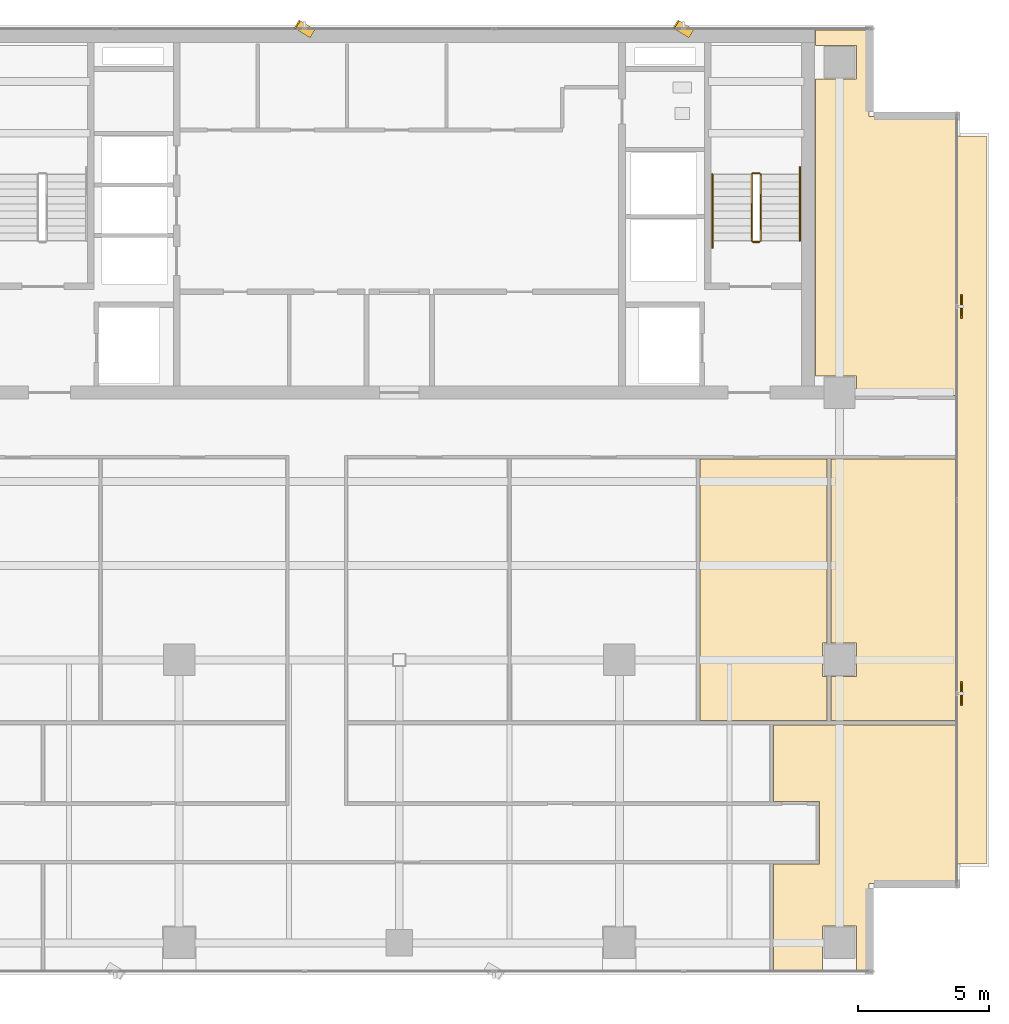
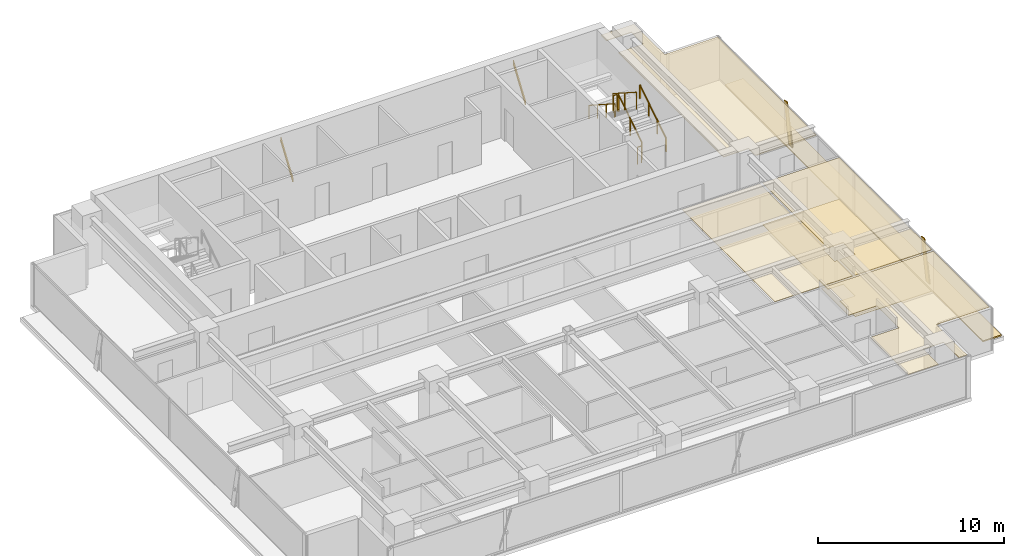
# One storey, part 21 of 22: 6 coverings, 6 railings, 4 shading devices.
"""IFC4 building model written with IfcOpenShell, lengths in metres."""

from ifc_helpers import new_model, si_unit, direction, frame, origin, origin_2d, place, context, subcontext, project, spatial, polyline, rectangle, outline, extrude, source, transform, mapped, material, layer, layer_set, material_profile, profile_set, type_object, element, save


model = new_model("IFC4")

# Units and contexts
model_context = context("Model", 3, precision=1e-05, world=origin(), true_north=direction((0.0, 1.0)))
body_context = subcontext(model_context, "Body", "Model", "MODEL_VIEW")
ifc_project = project(units=[si_unit("LENGTHUNIT", "METRE"), si_unit("AREAUNIT", "SQUARE_METRE"), si_unit("VOLUMEUNIT", "CUBIC_METRE"), si_unit("PLANEANGLEUNIT", "RADIAN"), si_unit("MASSUNIT", "GRAM", prefix="KILO")], contexts=[model_context])

# Site, building, storey
site_placement = place(None, origin())
site = spatial("IfcSite", under=ifc_project, at=site_placement, CompositionType="ELEMENT")
building_placement = place(site_placement, origin())
building = spatial("IfcBuilding", under=site, at=building_placement, Name="Sumidabori Civic Tower", CompositionType="ELEMENT")
storey_placement = place(building_placement, frame((0.0, 0.0, 272.0)))
storey = spatial("IfcBuildingStorey", under=building, at=storey_placement, Name="L71", CompositionType="ELEMENT", Elevation=272.0)

# Coverings
ifc_material_1 = material(Name="Perforated Timber Acoustic Ceiling", Category="wood")
ifc_layer_1 = layer(ifc_material_1, 0.044921875, Name="Perforated Timber Acoustic Ceiling")
ifc_layer_set_1 = layer_set([ifc_layer_1], Name="Perforated Timber Acoustic Ceiling")
covering_type_1 = type_object("IfcCoveringType", Name="CV-CEIL-AC2", PredefinedType="CEILING", material=ifc_layer_set_1)
covering_1_placement = place(storey_placement, frame((0.0, 0.0, 2.719970703125)))
element("IfcCovering", 1, at=covering_1_placement, inside=storey, type_object=covering_type_1, Name="Room Acoustic Ceiling L71-02", PredefinedType="CEILING", context=body_context, shape_type="SweptSolid", body=[
    extrude(outline(polyline([(15.8779296875, 22.159912109375), (17.43994140625, 22.159912109375), (17.43994140625, 23.43994140625), (15.8779296875, 23.43994140625), (15.8779296875, 24.030029296875), (17.929931640625, 24.030029296875), (17.929931640625, 20.72998046875), (21.22998046875, 20.72998046875), (21.22998046875, 10.090087890625), (17.43994140625, 10.090087890625), (17.43994140625, 10.840087890625), (15.8779296875, 10.840087890625), (15.8779296875, 22.159912109375)])), origin(), (0.0, 0.0, 1.0), 0.044921875),
])
covering_2_placement = place(storey_placement, frame((0.0, 0.0, 2.719970703125)))
element("IfcCovering", 2, at=covering_2_placement, inside=storey, type_object=covering_type_1, Name="Room Acoustic Ceiling L71-08", PredefinedType="CEILING", context=body_context, shape_type="SweptSolid", body=[
    extrude(outline(polyline([(11.47998046875, 7.659912109375), (16.320068359375, 7.659912109375), (16.320068359375, 0.639892578125), (16.159912109375, 0.639892578125), (16.159912109375, -0.639892578125), (16.320068359375, -0.639892578125), (16.320068359375, -2.320068359375), (11.47998046875, -2.320068359375), (11.47998046875, 7.659912109375)])), origin(), (0.0, 0.0, 1.0), 0.044921875),
])
covering_3_placement = place(storey_placement, frame((0.0, 0.0, 2.719970703125)))
element("IfcCovering", 3, at=covering_3_placement, inside=storey, type_object=covering_type_1, Name="Room Acoustic Ceiling L71-09", PredefinedType="CEILING", context=body_context, shape_type="SweptSolid", body=[
    extrude(outline(polyline([(16.47998046875, -0.639892578125), (17.43994140625, -0.639892578125), (17.43994140625, 0.639892578125), (16.47998046875, 0.639892578125), (16.47998046875, 7.659912109375), (21.22998046875, 7.659912109375), (21.22998046875, -2.320068359375), (16.47998046875, -2.320068359375), (16.47998046875, -0.639892578125)])), origin(), (0.0, 0.0, 1.0), 0.044921875),
])
covering_4_placement = place(storey_placement, frame((0.0, 0.0, 2.719970703125)))
element("IfcCovering", 4, at=covering_4_placement, inside=storey, type_object=covering_type_1, Name="Room Acoustic Ceiling L71-12", PredefinedType="CEILING", context=body_context, shape_type="SweptSolid", body=[
    extrude(outline(polyline([(16.0400390625, -7.7900390625), (16.0400390625, -5.409912109375), (14.280029296875, -5.409912109375), (14.280029296875, -2.47998046875), (21.22998046875, -2.47998046875), (21.22998046875, -8.530029296875), (17.929931640625, -8.530029296875), (17.929931640625, -11.830078125), (17.43994140625, -11.830078125), (17.43994140625, -10.159912109375), (16.159912109375, -10.159912109375), (16.159912109375, -11.830078125), (14.280029296875, -11.830078125), (14.280029296875, -7.7900390625), (16.0400390625, -7.7900390625)])), origin(), (0.0, 0.0, 1.0), 0.044921875),
])
ifc_material_2 = material(Name="Honed Terrazzo Tile Flooring")
ifc_layer_2 = layer(ifc_material_2, 0.030029296875, Name="Honed Terrazzo Tile Flooring")
ifc_layer_set_2 = layer_set([ifc_layer_2], Name="Honed Terrazzo Tile Flooring")
covering_type_2 = type_object("IfcCoveringType", Name="CV-FLR-TER", PredefinedType="FLOORING", material=ifc_layer_set_2)
covering_5_placement = place(storey_placement, origin())
element("IfcCovering", 5, at=covering_5_placement, inside=storey, type_object=covering_type_2, Name="Room Terrazzo Floor L71-09", PredefinedType="FLOORING", context=body_context, shape_type="SweptSolid", body=[
    extrude(outline(polyline([(16.47998046875, -0.639892578125), (17.43994140625, -0.639892578125), (17.43994140625, 0.639892578125), (16.47998046875, 0.639892578125), (16.47998046875, 7.659912109375), (21.22998046875, 7.659912109375), (21.22998046875, -2.320068359375), (16.47998046875, -2.320068359375), (16.47998046875, -0.639892578125)])), origin(), (0.0, 0.0, 1.0), 0.030029296875),
])
ifc_material_3 = material(Name="Insulated Waterproof Roofing Membrane")
ifc_layer_3 = layer(ifc_material_3, 0.080078125, Name="Insulated Waterproof Roofing Membrane")
ifc_layer_set_3 = layer_set([ifc_layer_3], Name="Insulated Waterproof Roofing Membrane")
covering_type_3 = type_object("IfcCoveringType", Name="CV-ROOF-MEM", PredefinedType="ROOFING", material=ifc_layer_set_3)
covering_6_placement = place(storey_placement, origin())
element("IfcCovering", 6, at=covering_6_placement, inside=storey, type_object=covering_type_3, Name="Setback Roof Membrane L71-2", PredefinedType="ROOFING", context=body_context, shape_type="SweptSolid", body=[
    extrude(outline(polyline([(22.39990234375, 20.0), (22.39990234375, -7.800048828125), (21.25, -7.800048828125), (21.25, 20.0), (22.39990234375, 20.0)])), origin(), (0.0, 0.0, 1.0), 0.080078125),
])

# Railings
ifc_material_4 = material(Name="Stainless Steel Hairline Finish", Category="steel")
railing_type_1 = type_object("IfcRailingType", Name="RL-HANDRAIL", PredefinedType="HANDRAIL", material=ifc_material_4)
railing_1_placement = place(storey_placement, frame((15.2900390625, 16.0, 0.179931640625)))
element("IfcRailing", 7, at=railing_1_placement, inside=storey, type_object=railing_type_1, Name="L71 ST-2 stair handrail 1", PredefinedType="HANDRAIL", context=body_context, shape_type="SweptSolid", body=[
    extrude(rectangle(XDim=0.048095703125, YDim=0.048095703125, at=origin_2d()), frame((0.0, 0.0, 0.8759765625), z_axis=(0.0, 0.84064222762, 0.54159084662), x_axis=(-1.0, 0.0, 0.0)), (0.0, 0.0, 1.0), 3.330810546875),
    extrude(rectangle(XDim=0.0419921875, YDim=0.0419921875, at=origin_2d()), origin(), (0.0, 0.0, 1.0), 0.851806640625),
    extrude(rectangle(XDim=0.0419921875, YDim=0.0419921875, at=origin_2d()), frame((0.0, 0.933349609375, 0.601318359375)), (0.0, 0.0, 1.0), 0.851806640625),
    extrude(rectangle(XDim=0.0419921875, YDim=0.0419921875, at=origin_2d()), frame((0.0, 1.86669921875, 1.20263671875)), (0.0, 0.0, 1.0), 0.851806640625),
    extrude(rectangle(XDim=0.0419921875, YDim=0.0419921875, at=origin_2d()), frame((0.0, 2.800048828125, 1.803955078125)), (0.0, 0.0, 1.0), 0.851806640625),
])
railing_2_placement = place(storey_placement, frame((11.949951171875, 18.52001953125, 1.97998046875)))
element("IfcRailing", 8, at=railing_2_placement, inside=storey, type_object=railing_type_1, Name="L71 ST-2 stair handrail 2", PredefinedType="HANDRAIL", context=body_context, shape_type="SweptSolid", body=[
    extrude(rectangle(XDim=0.048095703125, YDim=0.048095703125, at=origin_2d()), frame((0.0, 0.0, 0.8759765625), z_axis=(0.0, -0.840675598268, 0.541539046124), x_axis=(1.0, 0.0, 0.0)), (0.0, 0.0, 1.0), 3.330810546875),
    extrude(rectangle(XDim=0.0419921875, YDim=0.0419921875, at=origin_2d()), origin(), (0.0, 0.0, 1.0), 0.851806640625),
    extrude(rectangle(XDim=0.0419921875, YDim=0.0419921875, at=origin_2d()), frame((0.0, -0.933349609375, 0.601318359375)), (0.0, 0.0, 1.0), 0.851806640625),
    extrude(rectangle(XDim=0.0419921875, YDim=0.0419921875, at=origin_2d()), frame((0.0, -1.86669921875, 1.202392578125)), (0.0, 0.0, 1.0), 0.851806640625),
    extrude(rectangle(XDim=0.0419921875, YDim=0.0419921875, at=origin_2d()), frame((0.0, -2.800048828125, 1.8037109375)), (0.0, 0.0, 1.0), 0.851806640625),
])
ifc_material_5 = material(Name="Steel SN490", Category="steel")
railing_type_2 = type_object("IfcRailingType", Name="RL-STAIR-GUARD", PredefinedType="GUARDRAIL", material=ifc_material_5)
railing_3_placement = place(storey_placement, frame((13.7900390625, 16.0, 0.179931640625)))
element("IfcRailing", 9, at=railing_3_placement, inside=storey, type_object=railing_type_2, Name="L71 ST-2 stair guard 1", PredefinedType="GUARDRAIL", context=body_context, shape_type="SweptSolid", body=[
    extrude(rectangle(XDim=0.048095703125, YDim=0.048095703125, at=origin_2d()), frame((0.0, 0.0, 1.1259765625), z_axis=(0.0, 0.841162588446, 0.540782303519), x_axis=(-1.0, 0.0, 0.0)), (0.0, 0.0, 1.0), 2.995849609375),
    extrude(rectangle(XDim=0.0419921875, YDim=0.0419921875, at=origin_2d()), origin(), (0.0, 0.0, 1.0), 1.101806640625),
    extrude(rectangle(XDim=0.0419921875, YDim=0.0419921875, at=origin_2d()), frame((0.0, 1.260009765625, 0.81005859375)), (0.0, 0.0, 1.0), 1.101806640625),
    extrude(rectangle(XDim=0.0419921875, YDim=0.0419921875, at=origin_2d()), frame((0.0, 2.52001953125, 1.6201171875)), (0.0, 0.0, 1.0), 1.101806640625),
])
railing_4_placement = place(storey_placement, frame((13.739990234375, 18.570068359375, 1.800048828125)))
element("IfcRailing", 10, at=railing_4_placement, inside=storey, type_object=railing_type_2, Name="L71 ST-2 stair guard 2", PredefinedType="GUARDRAIL", context=body_context, shape_type="SweptSolid", body=[
    extrude(rectangle(XDim=0.048095703125, YDim=0.048095703125, at=origin_2d()), frame((0.0, 0.0, 1.1259765625), z_axis=(-1.0, 0.0, 0.0), x_axis=(0.0, -1.0, 0.0)), (0.0, 0.0, 1.0), 0.239990234375),
    extrude(rectangle(XDim=0.0419921875, YDim=0.0419921875, at=origin_2d()), origin(), (0.0, 0.0, 1.0), 1.101806640625),
    extrude(rectangle(XDim=0.0419921875, YDim=0.0419921875, at=origin_2d()), frame((-0.239990234375, 0.0, 0.0)), (0.0, 0.0, 1.0), 1.101806640625),
])
railing_5_placement = place(storey_placement, frame((13.449951171875, 18.52001953125, 1.97998046875)))
element("IfcRailing", 11, at=railing_5_placement, inside=storey, type_object=railing_type_2, Name="L71 ST-2 stair guard 3", PredefinedType="GUARDRAIL", context=body_context, shape_type="SweptSolid", body=[
    extrude(rectangle(XDim=0.048095703125, YDim=0.048095703125, at=origin_2d()), frame((0.0, 0.0, 1.1259765625), z_axis=(0.0, -0.841162588446, 0.540782303519), x_axis=(1.0, 0.0, 0.0)), (0.0, 0.0, 1.0), 2.995849609375),
    extrude(rectangle(XDim=0.0419921875, YDim=0.0419921875, at=origin_2d()), origin(), (0.0, 0.0, 1.0), 1.101806640625),
    extrude(rectangle(XDim=0.0419921875, YDim=0.0419921875, at=origin_2d()), frame((0.0, -1.260009765625, 0.81005859375)), (0.0, 0.0, 1.0), 1.101806640625),
    extrude(rectangle(XDim=0.0419921875, YDim=0.0419921875, at=origin_2d()), frame((0.0, -2.52001953125, 1.6201171875)), (0.0, 0.0, 1.0), 1.101806640625),
])
railing_6_placement = place(storey_placement, frame((13.739990234375, 15.949951171875, 0.0)))
element("IfcRailing", 12, at=railing_6_placement, inside=storey, type_object=railing_type_2, Name="L71 ST-2 stair guard 4", PredefinedType="GUARDRAIL", context=body_context, shape_type="SweptSolid", body=[
    extrude(rectangle(XDim=0.048095703125, YDim=0.048095703125, at=origin_2d()), frame((0.0, 0.0, 1.1259765625), z_axis=(-1.0, 0.0, 0.0), x_axis=(0.0, -1.0, 0.0)), (0.0, 0.0, 1.0), 0.239990234375),
    extrude(rectangle(XDim=0.0419921875, YDim=0.0419921875, at=origin_2d()), origin(), (0.0, 0.0, 1.0), 1.101806640625),
    extrude(rectangle(XDim=0.0419921875, YDim=0.0419921875, at=origin_2d()), frame((-0.239990234375, 0.0, 0.0)), (0.0, 0.0, 1.0), 1.101806640625),
])

# Shading devices
ifc_material_6 = material(Name="Anodised Bronze Aluminium AW-6063-T6", Category="aluminium")
ifc_material_profile = material_profile(ifc_material_6, rectangle(XDim=0.054931640625, YDim=0.360107421875, at=origin_2d()), Name="BRONZE FIN 360x55")
ifc_profile_set = profile_set([ifc_material_profile], Name="Anodised Bronze Aluminium AW-6063-T6")
shading_device_type = type_object("IfcShadingDeviceType", Name="SH-FIN-360", PredefinedType="USERDEFINED", material=ifc_profile_set)
shared_shape_1 = source(origin(), body_context, "Body", "SweptSolid", [
    extrude(rectangle(XDim=0.054931640625, YDim=0.360107421875, at=origin_2d()), origin(), (0.0, 0.0, 1.0), 2.7685546875),
])
for number, where, z_axis, x_axis, name in (
    (13, (11.1220703125, 23.909912109375, 0.02001953125), (-0.202289930374, 0.122837782481, 0.971591304646), (0.830469701518, -0.504291322674, 0.236665030656), "Bronze Anodised Diagonal Fin L71-01"),
    (14, (-3.333984375, 23.909912109375, 0.02001953125), (-0.202289930374, 0.122837782481, 0.971591304646), (0.830469701518, -0.504291322674, 0.236665030656), "Bronze Anodised Diagonal Fin L71-03"),
):
    element("IfcShadingDevice", number, at=place(storey_placement, frame(where, z_axis=z_axis, x_axis=x_axis)), inside=storey, type_object=shading_device_type, Name=name, ObjectType="FIN", PredefinedType="USERDEFINED", context=body_context, shape_type="MappedRepresentation", body=[
        mapped(shared_shape_1, transform((0.0, 0.0, 0.0), x_axis=(1.0, 0.0, 0.0), y_axis=(0.0, 1.0, 0.0), z_axis=(0.0, 0.0, 1.0), scale=1.0)),
    ])
shared_shape_2 = source(origin(), body_context, "Body", "SweptSolid", [
    extrude(rectangle(XDim=0.054931640625, YDim=0.360107421875, at=origin_2d()), origin(), (0.0, 0.0, 1.0), 2.74755859375),
])
for number, where, z_axis, x_axis, name in (
    (15, (21.449951171875, -1.56494140625, 0.02001953125), (0.0, 0.20383361069, 0.979005546028), (-1.0, 0.0, 0.0), "Bronze Anodised Diagonal Fin L71-01"),
    (16, (21.449951171875, 13.205078125, 0.02001953125), (0.0, 0.203748445037, 0.979023274057), (-1.0, 0.0, 0.0), "Bronze Anodised Diagonal Fin L71-03"),
):
    element("IfcShadingDevice", number, at=place(storey_placement, frame(where, z_axis=z_axis, x_axis=x_axis)), inside=storey, type_object=shading_device_type, Name=name, ObjectType="FIN", PredefinedType="USERDEFINED", context=body_context, shape_type="MappedRepresentation", body=[
        mapped(shared_shape_2, transform((0.0, 0.0, 0.0), x_axis=(1.0, 0.0, 0.0), y_axis=(0.0, 1.0, 0.0), z_axis=(0.0, 0.0, 1.0), scale=1.0)),
    ])

save(model, "model.ifc")
